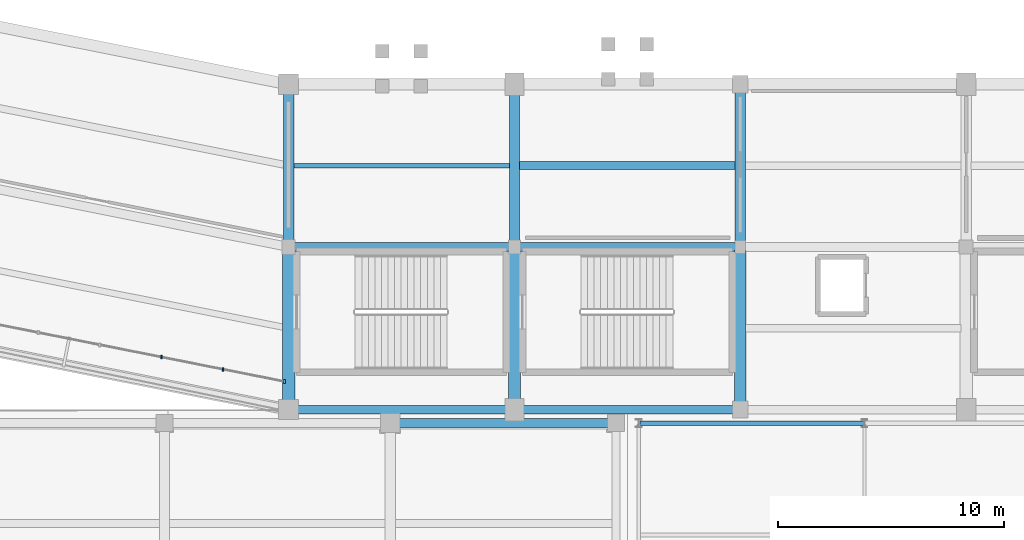
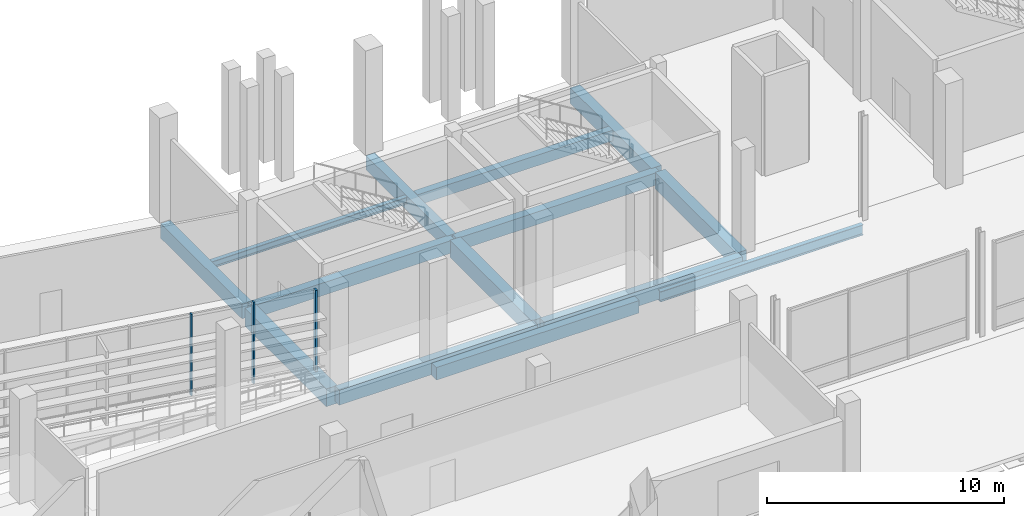
# One storey, part 22 of 114: 14 beams, 3 members, 1 element without a shape of its own.
"""IFC4 building model written with IfcOpenShell, lengths in metres."""

import ifcopenshell
import ifcopenshell.guid

model = None  # the IFC model being written
_history = None  # IfcOwnerHistory: only IFC2X3 demands one
_inside = {}  # id of a spatial element -> (the spatial element, [elements in it])
_under = {}  # id of a project, library or spatial element -> (it, [spatial elements below it])
_declared = {}  # id of a project -> (the project, [libraries it declares])
_typed = {}  # id of a type object -> (the type object, [elements of that type])
_made_of = {}  # id of a material, layer set ... -> (it, [elements and type objects made of it])


def new_model(schema):
    """Start an empty IFC model of exactly this schema.

    Asked for "IFC4X3", IfcOpenShell would pick the latest addendum, in which some entities
    have other attributes; the version numbers below select the first issue.
    IFC2X3 requires an IfcOwnerHistory on every rooted entity: one is made here for all.
    """
    global model, _history
    if schema == "IFC4X3":
        model = ifcopenshell.file(schema_version=(4, 3, 0, 0))
    else:
        model = ifcopenshell.file(schema=schema)
    _inside.clear()
    _under.clear()
    _declared.clear()
    _typed.clear()
    _made_of.clear()
    _history = None
    if model.schema == "IFC2X3":
        org = make("IfcOrganization", Name="unknown")
        user = make(
            "IfcPersonAndOrganization",
            ThePerson=make("IfcPerson", FamilyName="unknown"),
            TheOrganization=org,
        )
        app = make(
            "IfcApplication",
            ApplicationDeveloper=org,
            Version="unknown",
            ApplicationFullName="unknown",
            ApplicationIdentifier="unknown",
        )
        _history = make(
            "IfcOwnerHistory",
            OwningUser=user,
            OwningApplication=app,
            ChangeAction="ADDED",
            CreationDate=0,
        )
    return model


def make(cls, **values):
    """One entity of the class cls with the attributes given. An attribute that is None is left unset."""
    return model.create_entity(
        cls, **{name: value for name, value in values.items() if value is not None}
    )


def rooted(cls, **values):
    """An entity with a GlobalId (a new one), such as an element, a storey or a relation."""
    return make(cls, GlobalId=ifcopenshell.guid.new(), OwnerHistory=_history, **values)


def si_unit(unit_type, name, prefix=None):
    """IfcSIUnit, for example si_unit("LENGTHUNIT", "METRE", prefix="MILLI")."""
    return make("IfcSIUnit", UnitType=unit_type, Prefix=prefix, Name=name)


def assignment(units):
    """IfcUnitAssignment: the units of a project."""
    return None if units is None else make("IfcUnitAssignment", Units=units)


def point(xyz):
    """IfcCartesianPoint."""
    return None if xyz is None else make("IfcCartesianPoint", Coordinates=xyz)


def direction(xyz):
    """IfcDirection."""
    return None if xyz is None else make("IfcDirection", DirectionRatios=xyz)


def frame(location, z_axis=None, x_axis=None):
    """IfcAxis2Placement3D, a coordinate frame: its origin and axes. An axis left out is left unset."""
    return make(
        "IfcAxis2Placement3D",
        Location=point(location),
        Axis=direction(z_axis),
        RefDirection=direction(x_axis),
    )


def frame_2d(location, x_axis=None):
    """IfcAxis2Placement2D, a coordinate frame in the plane: its origin and x axis."""
    return make(
        "IfcAxis2Placement2D", Location=point(location), RefDirection=direction(x_axis)
    )


def origin():
    """The frame at (0, 0, 0) with its axes left unset."""
    return frame((0.0, 0.0, 0.0))


def origin_2d():
    """The frame at (0, 0) in the plane with its x axis left unset."""
    return frame_2d((0.0, 0.0))


def place(relative_to, where):
    """IfcLocalPlacement: puts the frame where relative to a parent placement (None: the world)."""
    return make(
        "IfcLocalPlacement", PlacementRelTo=relative_to, RelativePlacement=where
    )


def context(
    kind, dimensions, precision=None, world=None, true_north=None, identifier=None
):
    """IfcGeometricRepresentationContext, for example the 3D "Model" context."""
    return make(
        "IfcGeometricRepresentationContext",
        ContextIdentifier=identifier,
        ContextType=kind,
        CoordinateSpaceDimension=dimensions,
        Precision=precision,
        WorldCoordinateSystem=world,
        TrueNorth=true_north,
    )


def subcontext(parent, identifier, kind, view, scale=None):
    """IfcGeometricRepresentationSubContext, for example "Body" below "Model"."""
    return make(
        "IfcGeometricRepresentationSubContext",
        ContextIdentifier=identifier,
        ContextType=kind,
        ParentContext=parent,
        TargetScale=scale,
        TargetView=view,
    )


def project(units=None, contexts=None):
    """IfcProject with its units and contexts."""
    return rooted(
        "IfcProject",
        Name="project",
        RepresentationContexts=contexts,
        UnitsInContext=assignment(units),
    )


def spatial(cls, under=None, at=None, **own):
    """A site, building, storey or space (cls), placed at a placement, below another one or the project."""
    s = rooted(cls, ObjectPlacement=at, **own)
    if under is not None:
        _under.setdefault(under.id(), (under, []))[1].append(s)
    return s


def profile(cls, at=None, kind="AREA", **sizes):
    """A parametric profile (cls). Its sizes go by their IFC names, for example OverallWidth=200.0."""
    return make(cls, ProfileType=kind, Position=at, **sizes)


def rectangle(**sizes):
    """IfcRectangleProfileDef."""
    return profile("IfcRectangleProfileDef", **sizes)


def i_section(**sizes):
    """IfcIShapeProfileDef."""
    return profile("IfcIShapeProfileDef", **sizes)


def extrude(swept, where, along, depth):
    """IfcExtrudedAreaSolid: the profile swept, set in the frame where, extruded along a direction by depth."""
    return make(
        "IfcExtrudedAreaSolid",
        SweptArea=swept,
        Position=where,
        ExtrudedDirection=direction(along),
        Depth=depth,
    )


def shape(context_of_items, identifier, shape_type, items):
    """IfcShapeRepresentation: the items that make up one representation, for example the "Body"."""
    return make(
        "IfcShapeRepresentation",
        ContextOfItems=context_of_items,
        RepresentationIdentifier=identifier,
        RepresentationType=shape_type,
        Items=items,
    )


def material(Name=None, Category=None):
    """IfcMaterial."""
    return make("IfcMaterial", Name=Name, Category=Category)


def material_profile(
    of_material, cross_section, Name=None, Category=None, Priority=None
):
    """IfcMaterialProfile: a cross section and its material."""
    return make(
        "IfcMaterialProfile",
        Name=Name,
        Material=of_material,
        Profile=cross_section,
        Priority=Priority,
        Category=Category,
    )


def profile_set(profiles, Name=None, composite=None):
    """IfcMaterialProfileSet."""
    return make(
        "IfcMaterialProfileSet",
        Name=Name,
        MaterialProfiles=profiles,
        CompositeProfile=composite,
    )


def made_of(thing, what):
    """Note that an element or type object is made of a material, layer set ...; save() writes the relation."""
    if what is not None:
        _made_of.setdefault(what.id(), (what, []))[1].append(thing)
    return thing


def type_object(cls, material=None, **own):
    """A type object (cls), such as IfcWallType, which elements share."""
    return made_of(rooted(cls, **own), material)


def element(
    cls,
    number,
    at=None,
    inside=None,
    cuts=None,
    type_object=None,
    material=None,
    context=None,
    identifier="Body",
    shape_type=None,
    held_by="IfcProductDefinitionShape",
    body=None,
    shapes=None,
    **own,
):
    """One element of the class cls, such as IfcWall. Its Tag is "e" and its number.

    at: its placement. inside: the storey or other place that contains it. cuts: it is an
    opening in that element (IfcRelVoidsElement). A single representation is given by context,
    identifier, shape_type and body (its items); several are given by shapes. held_by: the class
    of the entity that holds the representations. save() writes the other relations.
    """
    e = rooted(cls, Tag="e%d" % number, ObjectPlacement=at, **own)
    if body is not None:
        shapes = [shape(context, identifier, shape_type, body)]
    if shapes is not None:
        e.Representation = make(held_by, Representations=shapes)
    if inside is not None:
        _inside.setdefault(inside.id(), (inside, []))[1].append(e)
    if cuts is not None:
        rooted(
            "IfcRelVoidsElement", RelatingBuildingElement=cuts, RelatedOpeningElement=e
        )
    if type_object is not None:
        _typed.setdefault(type_object.id(), (type_object, []))[1].append(e)
    return made_of(e, material)


def aggregate(whole, parts):
    """IfcRelAggregates: a whole, such as a stair, and the parts it consists of."""
    return rooted("IfcRelAggregates", RelatingObject=whole, RelatedObjects=parts)


def save(model, path):
    """Write the relations noted so far, then the file.

    IfcRelAggregates (storeys below a building ...), IfcRelContainedInSpatialStructure (elements
    in a storey), IfcRelDefinesByType, IfcRelAssociatesMaterial and IfcRelDeclares: one each for
    every whole, place, type object, material and project.
    """
    for whole, parts in _under.values():
        aggregate(whole, parts)
    for where, things in _inside.values():
        rooted(
            "IfcRelContainedInSpatialStructure",
            RelatedElements=things,
            RelatingStructure=where,
        )
    for kind, things in _typed.values():
        rooted("IfcRelDefinesByType", RelatedObjects=things, RelatingType=kind)
    for what, things in _made_of.values():
        rooted("IfcRelAssociatesMaterial", RelatedObjects=things, RelatingMaterial=what)
    for by, libraries in _declared.values():
        rooted("IfcRelDeclares", RelatingContext=by, RelatedDefinitions=libraries)
    model.write(path)


model = new_model("IFC4")

# Units and contexts
model_context = context("Model", 3, precision=1e-05, world=origin(), true_north=direction((0.0, 1.0)))
body_context = subcontext(model_context, "Body", "Model", "MODEL_VIEW")
ifc_project = project(units=[si_unit("LENGTHUNIT", "METRE"), si_unit("AREAUNIT", "SQUARE_METRE"), si_unit("VOLUMEUNIT", "CUBIC_METRE"), si_unit("PLANEANGLEUNIT", "RADIAN"), si_unit("MASSUNIT", "GRAM", prefix="KILO")], contexts=[model_context])

# Site, building, storey
site_placement = place(None, origin())
site = spatial("IfcSite", under=ifc_project, at=site_placement, CompositionType="ELEMENT")
building_placement = place(site_placement, origin())
building = spatial("IfcBuilding", under=site, at=building_placement, Name="Candeia Ridge Stadium", CompositionType="ELEMENT")
storey_placement = place(building_placement, frame((0.0, 0.0, 5.39990234375)))
storey = spatial("IfcBuildingStorey", under=building, at=storey_placement, Name="L01", CompositionType="ELEMENT", Elevation=5.39990234375)

# Beams
ifc_material_1 = material(Name="Concrete C40/50", Category="concrete")
ifc_material_profile_1 = material_profile(ifc_material_1, rectangle(XDim=0.35009765625, YDim=0.550048828125, at=origin_2d()), Name="RC350x550", Category="concrete")
ifc_profile_set_1 = profile_set([ifc_material_profile_1], Name="Concrete C40/50")
beam_type_1 = type_object("IfcBeamType", Name="Concourse Concrete Joist RC350x550", PredefinedType="JOIST", material=ifc_profile_set_1)
beam_1_placement = place(storey_placement, frame((81.221923828125, 29.800048828125, -0.534912109375), z_axis=(1.0, 0.0, 0.0), x_axis=(0.0, 1.0, 0.0)))
element("IfcBeam", 1, at=beam_1_placement, inside=storey, type_object=beam_type_1, Name="Concourse secondary joist BM-L01-0165", PredefinedType="JOIST", context=body_context, shape_type="SweptSolid", body=[
    extrude(rectangle(XDim=0.35009765625, YDim=0.550048828125, at=origin_2d()), origin(), (0.0, 0.0, 1.0), 9.55615234375),
])
ifc_material_2 = material(Name="Steel ASTM A572 Grade 50", Category="steel")
ifc_material_profile_2 = material_profile(ifc_material_2, i_section(OverallWidth=0.205078125, OverallDepth=0.35400390625, WebThickness=0.009521484375, FlangeThickness=0.016845703125, FilletRadius=0.014892578125, at=origin_2d()), Name="W360x79", Category="steel")
ifc_profile_set_2 = profile_set([ifc_material_profile_2], Name="Steel ASTM A572 Grade 50")
beam_type_2 = type_object("IfcBeamType", Name="Concourse Secondary Joist W360x79", PredefinedType="JOIST", material=ifc_profile_set_2)
beam_2_placement = place(storey_placement, frame((71.221923828125, 29.800048828125, -0.43701171875), z_axis=(1.0, 0.0, 0.0), x_axis=(0.0, 1.0, 0.0)))
element("IfcBeam", 2, at=beam_2_placement, inside=storey, type_object=beam_type_2, Name="Concourse secondary joist BM-L01-0161", PredefinedType="JOIST", context=body_context, shape_type="SweptSolid", body=[
    extrude(i_section(OverallWidth=0.205078125, OverallDepth=0.35400390625, WebThickness=0.009521484375, FlangeThickness=0.016845703125, FilletRadius=0.014892578125, at=origin_2d()), origin(), (0.0, 0.0, 1.0), 9.55615234375),
])

# Curtain wall, members
ifc_material_3 = material(Name="Aluminium Anodized Warm Bronze", Category="aluminium")
curtain_wall_type = type_object("IfcCurtainWallType", Name="Concourse Recessed Unitised Curtain Wall", PredefinedType="NOTDEFINED", material=ifc_material_3)
curtain_wall_placement = place(storey_placement, origin())
curtain_wall = element("IfcCurtainWall", 3, at=curtain_wall_placement, inside=storey, type_object=curtain_wall_type, Name="Unitised curtain wall CW-BWL-L01-17", PredefinedType="NOTDEFINED")
ifc_material_profile_3 = material_profile(ifc_material_3, rectangle(XDim=0.090087890625, YDim=0.179931640625, at=origin_2d()), Name="CWM-90x180", Category="aluminium")
ifc_profile_set_3 = profile_set([ifc_material_profile_3], Name="Aluminium Anodized Warm Bronze")
member_type_1 = type_object("IfcMemberType", Name="Curtain Wall Primary Mullion 90x180", PredefinedType="MULLION", material=ifc_profile_set_3)
member_1_placement = place(storey_placement, frame((70.823486328125, 20.235107421875, 0.0), z_axis=(0.0, 0.0, 1.0), x_axis=(1.0, 0.0, 0.0)))
member_1 = element("IfcMember", 4, at=member_1_placement, type_object=member_type_1, Name="Curtain wall mullion CW-BWL-L01-17-M7", PredefinedType="MULLION", context=body_context, shape_type="SweptSolid", body=[
    extrude(rectangle(XDim=0.090087890625, YDim=0.179931640625, at=origin_2d()), origin(), (0.0, 0.0, 1.0), 4.205078125),
])
ifc_material_profile_4 = material_profile(ifc_material_3, rectangle(XDim=0.074951171875, YDim=0.14990234375, at=origin_2d()), Name="CWM-75x150", Category="aluminium")
ifc_profile_set_4 = profile_set([ifc_material_profile_4], Name="Aluminium Anodized Warm Bronze")
member_type_2 = type_object("IfcMemberType", Name="Curtain Wall Secondary Mullion 75x150", PredefinedType="MULLION", material=ifc_profile_set_4)
member_2_placement = place(storey_placement, frame((65.3701171875, 21.31982421875, 0.0), z_axis=(0.0, 0.0, 1.0), x_axis=(1.0, 0.0, 0.0)))
member_2 = element("IfcMember", 5, at=member_2_placement, type_object=member_type_2, Name="Curtain wall mullion CW-BWL-L01-17-M5", PredefinedType="MULLION", context=body_context, shape_type="SweptSolid", body=[
    extrude(rectangle(XDim=0.074951171875, YDim=0.14990234375, at=origin_2d()), origin(), (0.0, 0.0, 1.0), 4.205078125),
])
member_3_placement = place(storey_placement, frame((68.0966796875, 20.777587890625, 0.0), z_axis=(0.0, 0.0, 1.0), x_axis=(1.0, 0.0, 0.0)))
member_3 = element("IfcMember", 6, at=member_3_placement, type_object=member_type_2, Name="Curtain wall mullion CW-BWL-L01-17-M6", PredefinedType="MULLION", context=body_context, shape_type="SweptSolid", body=[
    extrude(rectangle(XDim=0.074951171875, YDim=0.14990234375, at=origin_2d()), origin(), (0.0, 0.0, 1.0), 4.205078125),
])
aggregate(curtain_wall, [member_2, member_3, member_1])

# Beams
ifc_material_profile_5 = material_profile(ifc_material_1, rectangle(XDim=0.429931640625, YDim=0.739990234375, at=origin_2d()), Name="RC430x740", Category="concrete")
ifc_profile_set_5 = profile_set([ifc_material_profile_5], Name="Concrete C40/50")
beam_type_3 = type_object("IfcBeamType", Name="Frame Girder RC430x740", PredefinedType="BEAM", material=ifc_profile_set_5)
beam_3_placement = place(storey_placement, frame((81.0, 33.239990234375, -0.6298828125), z_axis=(0.0, -1.0, 0.0), x_axis=(1.0, 0.0, 0.0)))
element("IfcBeam", 7, at=beam_3_placement, inside=storey, type_object=beam_type_3, Name="Bowl radial girder BM-L01-0039", PredefinedType="BEAM", context=body_context, shape_type="SweptSolid", body=[
    extrude(rectangle(XDim=0.429931640625, YDim=0.739990234375, at=origin_2d()), origin(), (0.0, 0.0, 1.0), 6.8798828125),
])
ifc_material_profile_6 = material_profile(ifc_material_1, rectangle(XDim=0.469970703125, YDim=0.760009765625, at=origin_2d()), Name="RC470x760", Category="concrete")
ifc_profile_set_6 = profile_set([ifc_material_profile_6], Name="Concrete C40/50")
beam_type_4 = type_object("IfcBeamType", Name="Frame Girder RC470x760", PredefinedType="BEAM", material=ifc_profile_set_6)
beam_4_placement = place(storey_placement, frame((71.0, 33.239990234375, -0.639892578125), z_axis=(0.0, -1.0, 0.0), x_axis=(1.0, 0.0, 0.0)))
element("IfcBeam", 8, at=beam_4_placement, inside=storey, type_object=beam_type_4, Name="Bowl radial girder BM-L01-0037", PredefinedType="BEAM", context=body_context, shape_type="SweptSolid", body=[
    extrude(rectangle(XDim=0.469970703125, YDim=0.760009765625, at=origin_2d()), origin(), (0.0, 0.0, 1.0), 6.8798828125),
])
ifc_material_4 = material(Name="Concrete C45/55", Category="concrete")
ifc_material_profile_7 = material_profile(ifc_material_4, rectangle(XDim=0.47998046875, YDim=0.820068359375, at=origin_2d()), Name="RC480x820", Category="concrete")
ifc_profile_set_7 = profile_set([ifc_material_profile_7], Name="Concrete C45/55")
beam_type_5 = type_object("IfcBeamType", Name="Frame Girder RC480x820", PredefinedType="BEAM", material=ifc_profile_set_7)
beam_5_placement = place(storey_placement, frame((91.0, 33.239990234375, -0.669921875), z_axis=(0.0, -1.0, 0.0), x_axis=(1.0, 0.0, 0.0)))
element("IfcBeam", 9, at=beam_5_placement, inside=storey, type_object=beam_type_5, Name="Bowl radial girder BM-L01-0041", PredefinedType="BEAM", context=body_context, shape_type="SweptSolid", body=[
    extrude(rectangle(XDim=0.47998046875, YDim=0.820068359375, at=origin_2d()), origin(), (0.0, 0.0, 1.0), 6.8798828125),
])
ifc_material_profile_8 = material_profile(ifc_material_4, rectangle(XDim=0.5, YDim=0.85009765625, at=origin_2d()), Name="RC500x850", Category="concrete")
ifc_profile_set_8 = profile_set([ifc_material_profile_8], Name="Concrete C45/55")
beam_type_6 = type_object("IfcBeamType", Name="Frame Girder RC500x850", PredefinedType="BEAM", material=ifc_profile_set_8)
beam_6_placement = place(storey_placement, frame((91.0, 26.0400390625, -0.684814453125), z_axis=(0.0, -1.0, 0.0), x_axis=(1.0, 0.0, 0.0)))
element("IfcBeam", 10, at=beam_6_placement, inside=storey, type_object=beam_type_6, Name="Bowl radial girder BM-L01-0042", PredefinedType="BEAM", context=body_context, shape_type="SweptSolid", body=[
    extrude(rectangle(XDim=0.5, YDim=0.85009765625, at=origin_2d()), origin(), (0.0, 0.0, 1.0), 6.880126953125),
])
ifc_material_profile_9 = material_profile(ifc_material_4, rectangle(XDim=0.52001953125, YDim=0.8798828125, at=origin_2d()), Name="RC520x880", Category="concrete")
ifc_profile_set_9 = profile_set([ifc_material_profile_9], Name="Concrete C45/55")
beam_type_7 = type_object("IfcBeamType", Name="Frame Girder RC520x880", PredefinedType="BEAM", material=ifc_profile_set_9)
beam_7_placement = place(storey_placement, frame((81.0, 26.0400390625, -0.699951171875), z_axis=(0.0, -1.0, 0.0), x_axis=(1.0, 0.0, 0.0)))
element("IfcBeam", 11, at=beam_7_placement, inside=storey, type_object=beam_type_7, Name="Bowl radial girder BM-L01-0040", PredefinedType="BEAM", context=body_context, shape_type="SweptSolid", body=[
    extrude(rectangle(XDim=0.52001953125, YDim=0.8798828125, at=origin_2d()), origin(), (0.0, 0.0, 1.0), 6.880126953125),
])
ifc_material_profile_10 = material_profile(ifc_material_4, rectangle(XDim=0.550048828125, YDim=0.919921875, at=origin_2d()), Name="RC550x920", Category="concrete")
ifc_profile_set_10 = profile_set([ifc_material_profile_10], Name="Concrete C45/55")
beam_type_8 = type_object("IfcBeamType", Name="Frame Girder RC550x920", PredefinedType="BEAM", material=ifc_profile_set_10)
beam_8_placement = place(storey_placement, frame((71.0, 26.0400390625, -0.719970703125), z_axis=(0.0, -1.0, 0.0), x_axis=(1.0, 0.0, 0.0)))
element("IfcBeam", 12, at=beam_8_placement, inside=storey, type_object=beam_type_8, Name="Bowl radial girder BM-L01-0038", PredefinedType="BEAM", context=body_context, shape_type="SweptSolid", body=[
    extrude(rectangle(XDim=0.550048828125, YDim=0.919921875, at=origin_2d()), origin(), (0.0, 0.0, 1.0), 6.880126953125),
])
ifc_material_profile_11 = material_profile(ifc_material_2, i_section(OverallWidth=0.208984375, OverallDepth=0.532958984375, WebThickness=0.01025390625, FlangeThickness=0.015625, FilletRadius=0.013916015625, at=origin_2d()), Name="W530x92", Category="steel")
ifc_profile_set_11 = profile_set([ifc_material_profile_11], Name="Steel ASTM A572 Grade 50")
beam_type_9 = type_object("IfcBeamType", Name="Gate Portal Girder W530x92", PredefinedType="BEAM", material=ifc_profile_set_11)
beam_9_placement = place(storey_placement, frame((86.550048828125, 18.39990234375, -0.5263671875), z_axis=(1.0, 0.0, 0.0), x_axis=(0.0, 1.0, 0.0)))
element("IfcBeam", 13, at=beam_9_placement, inside=storey, type_object=beam_type_9, Name="Structural girder BM-L01-2025", PredefinedType="BEAM", context=body_context, shape_type="SweptSolid", body=[
    extrude(i_section(OverallWidth=0.208984375, OverallDepth=0.532958984375, WebThickness=0.01025390625, FlangeThickness=0.015625, FilletRadius=0.013916015625, at=origin_2d()), origin(), (0.0, 0.0, 1.0), 9.89990234375),
])
ifc_material_profile_12 = material_profile(ifc_material_4, rectangle(XDim=0.3798828125, YDim=0.780029296875, at=origin_2d()), Name="RC380x780", Category="concrete")
ifc_profile_set_12 = profile_set([ifc_material_profile_12], Name="Concrete C45/55")
beam_type_10 = type_object("IfcBeamType", Name="Spandrel Beam RC380x780", PredefinedType="SPANDREL", material=ifc_profile_set_12)
for number, where, z_axis, x_axis, name in (
    (14, (71.159912109375, 19.0, -0.64990234375), (1.0, 0.0, 0.0), (0.0, 1.0, 0.0), "Bowl perimeter spandrel BM-L01-0160"),
    (15, (81.159912109375, 19.0, -0.64990234375), (1.0, 0.0, 0.0), (0.0, 1.0, 0.0), "Bowl perimeter spandrel BM-L01-0164"),
):
    element("IfcBeam", number, at=place(storey_placement, frame(where, z_axis=z_axis, x_axis=x_axis)), inside=storey, type_object=beam_type_10, Name=name, PredefinedType="SPANDREL", context=body_context, shape_type="SweptSolid", body=[
        extrude(rectangle(XDim=0.3798828125, YDim=0.780029296875, at=origin_2d()), origin(), (0.0, 0.0, 1.0), 9.68017578125),
    ])
ifc_material_profile_13 = material_profile(ifc_material_1, rectangle(XDim=0.39990234375, YDim=0.64990234375, at=origin_2d()), Name="RC400x650", Category="concrete")
ifc_profile_set_13 = profile_set([ifc_material_profile_13], Name="Concrete C40/50")
beam_type_11 = type_object("IfcBeamType", Name="Wing Primary Girder RC400x650", PredefinedType="BEAM", material=ifc_profile_set_13)
for number, where, z_axis, x_axis, name in (
    (16, (71.050048828125, 26.199951171875, -0.5849609375), (1.0, 0.0, 0.0), (0.0, 1.0, 0.0), "Concourse spine girder BM-L01-0159"),
    (17, (81.050048828125, 26.199951171875, -0.5849609375), (1.0, 0.0, 0.0), (0.0, 1.0, 0.0), "Concourse spine girder BM-L01-0163"),
    (18, (75.550048828125, 18.39990234375, -0.5849609375), (1.0, 0.0, 0.0), (0.0, 1.0, 0.0), "Structural girder BM-L01-1977"),
):
    element("IfcBeam", number, at=place(storey_placement, frame(where, z_axis=z_axis, x_axis=x_axis)), inside=storey, type_object=beam_type_11, Name=name, PredefinedType="BEAM", context=body_context, shape_type="SweptSolid", body=[
        extrude(rectangle(XDim=0.39990234375, YDim=0.64990234375, at=origin_2d()), origin(), (0.0, 0.0, 1.0), 9.89990234375),
    ])

save(model, "model.ifc")
